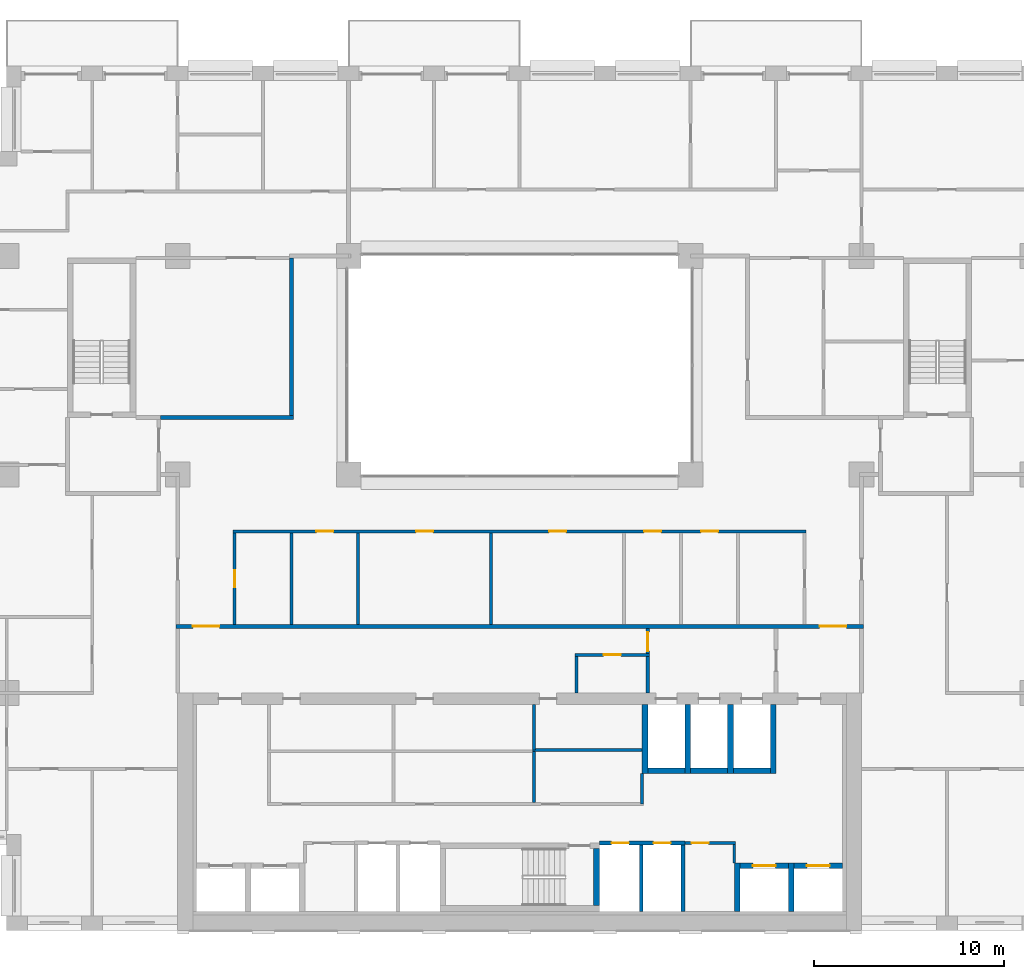
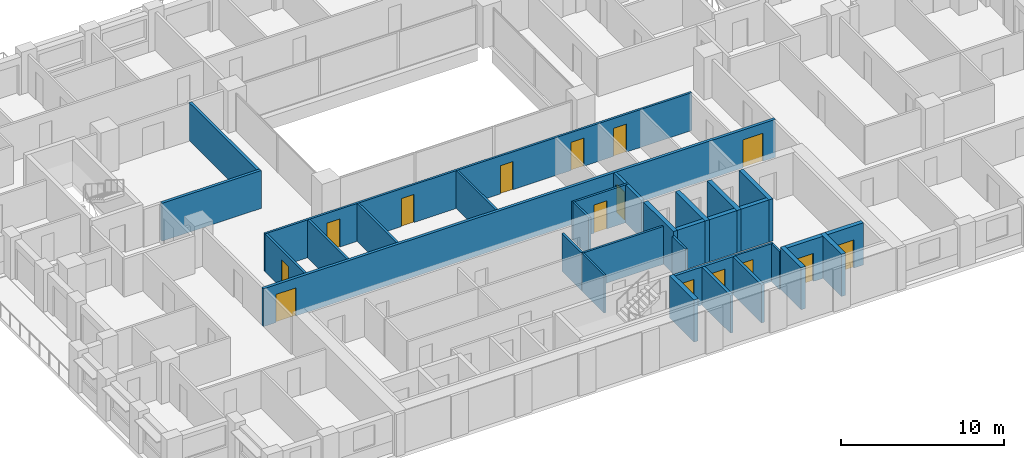
# One storey, part 10 of 16: 33 walls, 15 doors, 15 openings.
"""IFC4 building model written with IfcOpenShell, lengths in metres."""

from ifc_helpers import new_model, si_unit, direction, frame, frame_2d, origin, place, context, subcontext, project, spatial, rectangle, extrude, material, layer, layer_set, type_object, element, fill, save


model = new_model("IFC4")

# Units and contexts
model_context = context("Model", 3, precision=1e-05, world=origin(), true_north=direction((0.0, 1.0)))
body_context = subcontext(model_context, "Body", "Model", "MODEL_VIEW")
ifc_project = project(units=[si_unit("LENGTHUNIT", "METRE"), si_unit("AREAUNIT", "SQUARE_METRE"), si_unit("VOLUMEUNIT", "CUBIC_METRE"), si_unit("PLANEANGLEUNIT", "RADIAN"), si_unit("MASSUNIT", "GRAM", prefix="KILO")], contexts=[model_context])

# Site, building, storey
site_placement = place(None, origin())
site = spatial("IfcSite", under=ifc_project, at=site_placement, CompositionType="ELEMENT")
building_placement = place(site_placement, origin())
building = spatial("IfcBuilding", under=site, at=building_placement, Name="Brigalow Station Residences", CompositionType="ELEMENT")
storey_placement = place(building_placement, frame((0.0, 0.0, 124.5)))
storey = spatial("IfcBuildingStorey", under=building, at=storey_placement, Name="L36", CompositionType="ELEMENT", Elevation=124.5)

# Walls
ifc_material_1 = material(Name="Concrete C65", Category="concrete")
ifc_layer_1 = layer(ifc_material_1, 0.300048828125)
ifc_layer_set_1 = layer_set([ifc_layer_1], Name="CORE SHEAR WALL 300 C65")
wall_type_1 = type_object("IfcWallType", Name="CORE SHEAR WALL 300 C65", PredefinedType="SHEAR", material=ifc_layer_set_1)
wall_1_placement = place(storey_placement, frame((42.75, 8.39990234375, 0.0), z_axis=(0.0, 0.0, 1.0), x_axis=(1.0, 0.0, 0.0)))
element("IfcWall", 1, at=wall_1_placement, inside=storey, type_object=wall_type_1, Name="CORE WALL SH-FF1-S L36", PredefinedType="SHEAR", context=body_context, shape_type="SweptSolid", body=[
    extrude(rectangle(XDim=1.949951171875, YDim=0.300048828125, at=frame_2d((0.97509765625, 0.0))), origin(), (0.0, 0.0, 1.0), 3.14990234375),
])
wall_2_placement = place(storey_placement, frame((42.60009765625, 8.25, 0.0), z_axis=(0.0, 0.0, 1.0), x_axis=(0.0, 1.0, 0.0)))
element("IfcWall", 2, at=wall_2_placement, inside=storey, type_object=wall_type_1, Name="CORE WALL SH-FF1-W L36", PredefinedType="SHEAR", context=body_context, shape_type="SweptSolid", body=[
    extrude(rectangle(XDim=3.64990234375, YDim=0.300048828125, at=frame_2d((1.824951171875, 0.0))), origin(), (0.0, 0.0, 1.0), 3.14990234375),
])
wall_3_placement = place(storey_placement, frame((45.0, 8.39990234375, 0.0), z_axis=(0.0, 0.0, 1.0), x_axis=(1.0, 0.0, 0.0)))
element("IfcWall", 3, at=wall_3_placement, inside=storey, type_object=wall_type_1, Name="CORE WALL SH-FF2-S L36", PredefinedType="SHEAR", context=body_context, shape_type="SweptSolid", body=[
    extrude(rectangle(XDim=1.949951171875, YDim=0.300048828125, at=frame_2d((0.97509765625, 0.0))), origin(), (0.0, 0.0, 1.0), 3.14990234375),
])
wall_4_placement = place(storey_placement, frame((44.85009765625, 8.25, 0.0), z_axis=(0.0, 0.0, 1.0), x_axis=(0.0, 1.0, 0.0)))
element("IfcWall", 4, at=wall_4_placement, inside=storey, type_object=wall_type_1, Name="CORE WALL SH-FF2-W L36", PredefinedType="SHEAR", context=body_context, shape_type="SweptSolid", body=[
    extrude(rectangle(XDim=3.64990234375, YDim=0.300048828125, at=frame_2d((1.824951171875, 0.0))), origin(), (0.0, 0.0, 1.0), 3.14990234375),
])
wall_5_placement = place(storey_placement, frame((47.25, 8.39990234375, 0.0), z_axis=(0.0, 0.0, 1.0), x_axis=(1.0, 0.0, 0.0)))
element("IfcWall", 5, at=wall_5_placement, inside=storey, type_object=wall_type_1, Name="CORE WALL SH-SL1-S L36", PredefinedType="SHEAR", context=body_context, shape_type="SweptSolid", body=[
    extrude(rectangle(XDim=1.949951171875, YDim=0.300048828125, at=frame_2d((0.97509765625, 0.0))), origin(), (0.0, 0.0, 1.0), 3.14990234375),
])
for number, where, z_axis, x_axis, name in (
    (6, (47.10009765625, 8.25, 0.0), (0.0, 0.0, 1.0), (0.0, 1.0, 0.0), "CORE WALL SH-SL1-W L36"),
    (7, (49.35009765625, 8.25, 0.0), (0.0, 0.0, 1.0), (0.0, 1.0, 0.0), "CORE WALL SH-SL1-E L36"),
):
    element("IfcWall", number, at=place(storey_placement, frame(where, z_axis=z_axis, x_axis=x_axis)), inside=storey, type_object=wall_type_1, Name=name, PredefinedType="SHEAR", context=body_context, shape_type="SweptSolid", body=[
        extrude(rectangle(XDim=3.64990234375, YDim=0.300048828125, at=frame_2d((1.824951171875, 0.0))), origin(), (0.0, 0.0, 1.0), 3.14990234375),
    ])

# Wall, opening, door
wall_6_placement = place(storey_placement, frame((47.60009765625, 3.39990234375, 0.0), z_axis=(0.0, 0.0, 1.0), x_axis=(1.0, 0.0, 0.0)))
wall_6 = element("IfcWall", 8, at=wall_6_placement, inside=storey, type_object=wall_type_1, Name="CORE WALL SH-C3-N L36", PredefinedType="SHEAR", context=body_context, shape_type="SweptSolid", body=[
    extrude(rectangle(XDim=2.5498046875, YDim=0.300048828125, at=frame_2d((1.27490234375, 0.0))), origin(), (0.0, 0.0, 1.0), 3.14990234375),
])
opening_1_placement = place(wall_6_placement, frame((0.675048828125, 0.0, 0.0)))
opening_1 = element("IfcOpeningElement", 9, at=opening_1_placement, cuts=wall_6, Name="Opening LD-LB3", PredefinedType="OPENING", context=body_context, shape_type="SweptSolid", body=[
    extrude(rectangle(XDim=1.199951171875, YDim=2.10009765625, at=frame_2d((0.60009765625, 1.050048828125))), frame((0.0, 0.16015625, 0.0), z_axis=(0.0, -1.0, 0.0), x_axis=(1.0, 0.0, 0.0)), (0.0, 0.0, 1.0), 0.320068359375),
])
ifc_material_2 = material(Name="Stainless steel sliding door leaves", Category="steel")
door_type_1 = type_object("IfcDoorType", Name="LIFT LANDING DOOR 1200 x 2100", OperationType="DOUBLE_DOOR_SLIDING", PredefinedType="DOOR", material=ifc_material_2)
door_1_placement = place(opening_1_placement, origin())
door_1 = element("IfcDoor", 10, at=door_1_placement, inside=storey, type_object=door_type_1, Name="LANDING DOOR LB3", OperationType="DOUBLE_DOOR_SLIDING", OverallHeight=2.10009765625, OverallWidth=1.199951171875, PredefinedType="DOOR", context=body_context, shape_type="SweptSolid", body=[
    extrude(rectangle(XDim=1.199951171875, YDim=2.10009765625, at=frame_2d((0.60009765625, 1.050048828125))), frame((0.0, 0.02490234375, 0.0), z_axis=(0.0, -1.0, 0.0), x_axis=(1.0, 0.0, 0.0)), (0.0, 0.0, 1.0), 0.050048828125),
])
fill(opening_1, door_1)

# Wall
wall_7_placement = place(storey_placement, frame((47.449951171875, 1.0, 0.0), z_axis=(0.0, 0.0, 1.0), x_axis=(0.0, 1.0, 0.0)))
element("IfcWall", 11, at=wall_7_placement, inside=storey, type_object=wall_type_1, Name="CORE WALL SH-C3-W L36", PredefinedType="SHEAR", context=body_context, shape_type="SweptSolid", body=[
    extrude(rectangle(XDim=2.550048828125, YDim=0.300048828125, at=frame_2d((1.27490234375, 0.0))), origin(), (0.0, 0.0, 1.0), 3.14990234375),
])

# Wall, opening, door
wall_8_placement = place(storey_placement, frame((50.449951171875, 3.39990234375, 0.0), z_axis=(0.0, 0.0, 1.0), x_axis=(1.0, 0.0, 0.0)))
wall_8 = element("IfcWall", 12, at=wall_8_placement, inside=storey, type_object=wall_type_1, Name="CORE WALL SH-C4-N L36", PredefinedType="SHEAR", context=body_context, shape_type="SweptSolid", body=[
    extrude(rectangle(XDim=2.550048828125, YDim=0.300048828125, at=frame_2d((1.27490234375, 0.0))), origin(), (0.0, 0.0, 1.0), 3.14990234375),
])
opening_2_placement = place(wall_8_placement, frame((0.675048828125, 0.0, 0.0)))
opening_2 = element("IfcOpeningElement", 13, at=opening_2_placement, cuts=wall_8, Name="Opening LD-LB4", PredefinedType="OPENING", context=body_context, shape_type="SweptSolid", body=[
    extrude(rectangle(XDim=1.199951171875, YDim=2.10009765625, at=frame_2d((0.60009765625, 1.050048828125))), frame((0.0, 0.16015625, 0.0), z_axis=(0.0, -1.0, 0.0), x_axis=(1.0, 0.0, 0.0)), (0.0, 0.0, 1.0), 0.320068359375),
])
door_2_placement = place(opening_2_placement, origin())
door_2 = element("IfcDoor", 14, at=door_2_placement, inside=storey, type_object=door_type_1, Name="LANDING DOOR LB4", OperationType="DOUBLE_DOOR_SLIDING", OverallHeight=2.10009765625, OverallWidth=1.199951171875, PredefinedType="DOOR", context=body_context, shape_type="SweptSolid", body=[
    extrude(rectangle(XDim=1.199951171875, YDim=2.10009765625, at=frame_2d((0.60009765625, 1.050048828125))), frame((0.0, 0.02490234375, 0.0), z_axis=(0.0, -1.0, 0.0), x_axis=(1.0, 0.0, 0.0)), (0.0, 0.0, 1.0), 0.050048828125),
])
fill(opening_2, door_2)

# Walls
wall_9_placement = place(storey_placement, frame((50.300048828125, 1.0, 0.0), z_axis=(0.0, 0.0, 1.0), x_axis=(0.0, 1.0, 0.0)))
element("IfcWall", 15, at=wall_9_placement, inside=storey, type_object=wall_type_1, Name="CORE WALL SH-C4-W L36", PredefinedType="SHEAR", context=body_context, shape_type="SweptSolid", body=[
    extrude(rectangle(XDim=2.550048828125, YDim=0.300048828125, at=frame_2d((1.27490234375, 0.0))), origin(), (0.0, 0.0, 1.0), 3.14990234375),
])
wall_10_placement = place(storey_placement, frame((40.050048828125, 1.300048828125, 0.0), z_axis=(0.0, 0.0, 1.0), x_axis=(0.0, 1.0, 0.0)))
element("IfcWall", 16, at=wall_10_placement, inside=storey, type_object=wall_type_1, Name="CORE WALL ST-S2-E L36", PredefinedType="SHEAR", context=body_context, shape_type="SweptSolid", body=[
    extrude(rectangle(XDim=3.0, YDim=0.300048828125, at=frame_2d((1.5, 0.0))), origin(), (0.0, 0.0, 1.0), 3.14990234375),
])

# Wall, openings, doors
ifc_material_3 = material(Name="Concrete blockwork", Category="masonry")
ifc_layer_2 = layer(ifc_material_3, 0.199951171875)
ifc_layer_set_2 = layer_set([ifc_layer_2], Name="FIRE RATED CORE PARTITION 200")
wall_type_2 = type_object("IfcWallType", Name="FIRE RATED CORE PARTITION 200", PredefinedType="PARTITIONING", material=ifc_layer_set_2)
wall_11_placement = place(storey_placement, frame((40.199951171875, 4.60009765625, 0.0), z_axis=(0.0, 0.0, 1.0), x_axis=(1.0, 0.0, 0.0)))
wall_11 = element("IfcWall", 17, at=wall_11_placement, inside=storey, type_object=wall_type_2, Name="PW-5018", PredefinedType="PARTITIONING", context=body_context, shape_type="SweptSolid", body=[
    extrude(rectangle(XDim=4.5, YDim=0.199951171875, at=frame_2d((2.25, 0.0))), origin(), (0.0, 0.0, 1.0), 2.830078125),
])
opening_3_placement = place(wall_11_placement, frame((0.64990234375, 0.0, 0.0)))
opening_3 = element("IfcOpeningElement", 18, at=opening_3_placement, cuts=wall_11, Name="Opening D-5009", PredefinedType="OPENING", context=body_context, shape_type="SweptSolid", body=[
    extrude(rectangle(XDim=0.89990234375, YDim=2.10009765625, at=frame_2d((0.449951171875, 1.050048828125))), frame((0.0, 0.10986328125, 0.0), z_axis=(0.0, -1.0, 0.0), x_axis=(1.0, 0.0, 0.0)), (0.0, 0.0, 1.0), 0.219970703125),
])
opening_4_placement = place(wall_11_placement, frame((2.85009765625, 0.0, 0.0)))
opening_4 = element("IfcOpeningElement", 19, at=opening_4_placement, cuts=wall_11, Name="Opening D-5010", PredefinedType="OPENING", context=body_context, shape_type="SweptSolid", body=[
    extrude(rectangle(XDim=0.89990234375, YDim=2.10009765625, at=frame_2d((0.449951171875, 1.050048828125))), frame((0.0, 0.10986328125, 0.0), z_axis=(0.0, -1.0, 0.0), x_axis=(1.0, 0.0, 0.0)), (0.0, 0.0, 1.0), 0.219970703125),
])
ifc_material_4 = material(Name="Steel fire door leaf in steel frame", Category="steel")
door_type_2 = type_object("IfcDoorType", Name="RISER ACCESS DOOR 900 x 2100 FD120", OperationType="SINGLE_SWING_LEFT", PredefinedType="DOOR", material=ifc_material_4)
door_3_placement = place(opening_3_placement, frame((0.89990234375, 0.0, 0.0), z_axis=(0.0, 0.0, 1.0), x_axis=(-1.0, 0.0, 0.0)))
door_3 = element("IfcDoor", 20, at=door_3_placement, inside=storey, type_object=door_type_2, Name="D-5009", OperationType="SINGLE_SWING_LEFT", OverallHeight=2.10009765625, OverallWidth=0.89990234375, PredefinedType="DOOR", context=body_context, shape_type="SweptSolid", body=[
    extrude(rectangle(XDim=0.89990234375, YDim=2.10009765625, at=frame_2d((0.449951171875, 1.050048828125))), frame((0.0, 0.02490234375, 0.0), z_axis=(0.0, -1.0, 0.0), x_axis=(1.0, 0.0, 0.0)), (0.0, 0.0, 1.0), 0.050048828125),
])
fill(opening_3, door_3)
door_4_placement = place(opening_4_placement, frame((0.89990234375, 0.0, 0.0), z_axis=(0.0, 0.0, 1.0), x_axis=(-1.0, 0.0, 0.0)))
door_4 = element("IfcDoor", 21, at=door_4_placement, inside=storey, type_object=door_type_2, Name="D-5010", OperationType="SINGLE_SWING_LEFT", OverallHeight=2.10009765625, OverallWidth=0.89990234375, PredefinedType="DOOR", context=body_context, shape_type="SweptSolid", body=[
    extrude(rectangle(XDim=0.89990234375, YDim=2.10009765625, at=frame_2d((0.449951171875, 1.050048828125))), frame((0.0, 0.02490234375, 0.0), z_axis=(0.0, -1.0, 0.0), x_axis=(1.0, 0.0, 0.0)), (0.0, 0.0, 1.0), 0.050048828125),
])
fill(opening_4, door_4)

# Walls
for number, where, z_axis, x_axis, name in (
    (22, (42.39990234375, 1.0, 0.0), (0.0, 0.0, 1.0), (0.0, 1.0, 0.0), "PW-5007"),
    (23, (44.60009765625, 1.0, 0.0), (0.0, 0.0, 1.0), (0.0, 1.0, 0.0), "PW-5008"),
):
    element("IfcWall", number, at=place(storey_placement, frame(where, z_axis=z_axis, x_axis=x_axis)), inside=storey, type_object=wall_type_2, Name=name, PredefinedType="PARTITIONING", context=body_context, shape_type="SweptSolid", body=[
        extrude(rectangle(XDim=3.5, YDim=0.199951171875, at=frame_2d((1.75, 0.0))), origin(), (0.0, 0.0, 1.0), 2.830078125),
    ])
wall_12_placement = place(storey_placement, frame((42.75, 12.5, 0.0), z_axis=(0.0, 0.0, 1.0), x_axis=(0.0, 1.0, 0.0)))
element("IfcWall", 24, at=wall_12_placement, inside=storey, type_object=wall_type_2, Name="PW-5046", PredefinedType="PARTITIONING", context=body_context, shape_type="SweptSolid", body=[
    extrude(rectangle(XDim=1.925048828125, YDim=0.199951171875, at=frame_2d((0.96240234375, 0.0))), origin(), (0.0, 0.0, 1.0), 2.830078125),
])

# Wall, opening, door
wall_13_placement = place(storey_placement, frame((42.75, 14.574951171875, 0.0), z_axis=(0.0, 0.0, 1.0), x_axis=(0.0, 1.0, 0.0)))
wall_13 = element("IfcWall", 25, at=wall_13_placement, inside=storey, type_object=wall_type_2, Name="PW-5047", PredefinedType="PARTITIONING", context=body_context, shape_type="SweptSolid", body=[
    extrude(rectangle(XDim=1.324951171875, YDim=0.199951171875, at=frame_2d((0.66259765625, 0.0))), origin(), (0.0, 0.0, 1.0), 2.830078125),
])
opening_5_placement = place(wall_13_placement, frame((0.125, 0.0, 0.0)))
opening_5 = element("IfcOpeningElement", 26, at=opening_5_placement, cuts=wall_13, Name="Opening D-5013", PredefinedType="OPENING", context=body_context, shape_type="SweptSolid", body=[
    extrude(rectangle(XDim=1.0, YDim=2.10009765625, at=frame_2d((0.5, 1.050048828125))), frame((0.0, 0.10986328125, 0.0), z_axis=(0.0, -1.0, 0.0), x_axis=(1.0, 0.0, 0.0)), (0.0, 0.0, 1.0), 0.219970703125),
])
ifc_material_5 = material(Name="Steel fire door leaf in steel frame", Category="steel")
door_type_3 = type_object("IfcDoorType", Name="LOBBY DOOR 1000 x 2100 FD60S", OperationType="SINGLE_SWING_LEFT", PredefinedType="DOOR", material=ifc_material_5)
door_5_placement = place(opening_5_placement, origin())
door_5 = element("IfcDoor", 27, at=door_5_placement, inside=storey, type_object=door_type_3, Name="D-5013", OperationType="SINGLE_SWING_LEFT", OverallHeight=2.10009765625, OverallWidth=1.0, PredefinedType="DOOR", context=body_context, shape_type="SweptSolid", body=[
    extrude(rectangle(XDim=1.0, YDim=2.10009765625, at=frame_2d((0.5, 1.050048828125))), frame((0.0, 0.02490234375, 0.0), z_axis=(0.0, -1.0, 0.0), x_axis=(1.0, 0.0, 0.0)), (0.0, 0.0, 1.0), 0.050048828125),
])
fill(opening_5, door_5)

# Wall, openings, doors
ifc_material_6 = material(Name="Plasterboard on steel stud partition", Category="steel")
ifc_layer_3 = layer(ifc_material_6, 0.14990234375)
ifc_layer_set_3 = layer_set([ifc_layer_3], Name="FLAT PARTITION 150")
wall_type_3 = type_object("IfcWallType", Name="FLAT PARTITION 150", PredefinedType="PARTITIONING", material=ifc_layer_set_3)
wall_14_placement = place(storey_placement, frame((20.925048828125, 21.0, 0.0), z_axis=(0.0, 0.0, 1.0), x_axis=(1.0, 0.0, 0.0)))
wall_14 = element("IfcWall", 28, at=wall_14_placement, inside=storey, type_object=wall_type_3, Name="PW-2F01", PredefinedType="PARTITIONING", context=body_context, shape_type="SweptSolid", body=[
    extrude(rectangle(XDim=30.14990234375, YDim=0.14990234375, at=frame_2d((15.074951171875, 0.0))), origin(), (0.0, 0.0, 1.0), 2.830078125),
])
opening_6_placement = place(wall_14_placement, frame((4.375, 0.0, 0.0)))
opening_6 = element("IfcOpeningElement", 29, at=opening_6_placement, cuts=wall_14, Name="Opening D-2F51", PredefinedType="OPENING", context=body_context, shape_type="SweptSolid", body=[
    extrude(rectangle(XDim=0.89990234375, YDim=2.10009765625, at=frame_2d((0.449951171875, 1.050048828125))), frame((0.0, 0.0849609375, 0.0), z_axis=(0.0, -1.0, 0.0), x_axis=(1.0, 0.0, 0.0)), (0.0, 0.0, 1.0), 0.169921875),
])
opening_7_placement = place(wall_14_placement, frame((9.625, 0.0, 0.0)))
opening_7 = element("IfcOpeningElement", 30, at=opening_7_placement, cuts=wall_14, Name="Opening D-2F52", PredefinedType="OPENING", context=body_context, shape_type="SweptSolid", body=[
    extrude(rectangle(XDim=0.89990234375, YDim=2.10009765625, at=frame_2d((0.449951171875, 1.050048828125))), frame((0.0, 0.0849609375, 0.0), z_axis=(0.0, -1.0, 0.0), x_axis=(1.0, 0.0, 0.0)), (0.0, 0.0, 1.0), 0.169921875),
])
opening_8_placement = place(wall_14_placement, frame((16.625, 0.0, 0.0)))
opening_8 = element("IfcOpeningElement", 31, at=opening_8_placement, cuts=wall_14, Name="Opening D-2F53", PredefinedType="OPENING", context=body_context, shape_type="SweptSolid", body=[
    extrude(rectangle(XDim=0.89990234375, YDim=2.10009765625, at=frame_2d((0.449951171875, 1.050048828125))), frame((0.0, 0.0849609375, 0.0), z_axis=(0.0, -1.0, 0.0), x_axis=(1.0, 0.0, 0.0)), (0.0, 0.0, 1.0), 0.169921875),
])
opening_9_placement = place(wall_14_placement, frame((21.625, 0.0, 0.0)))
opening_9 = element("IfcOpeningElement", 32, at=opening_9_placement, cuts=wall_14, Name="Opening D-2F54", PredefinedType="OPENING", context=body_context, shape_type="SweptSolid", body=[
    extrude(rectangle(XDim=0.89990234375, YDim=2.10009765625, at=frame_2d((0.449951171875, 1.050048828125))), frame((0.0, 0.0849609375, 0.0), z_axis=(0.0, -1.0, 0.0), x_axis=(1.0, 0.0, 0.0)), (0.0, 0.0, 1.0), 0.169921875),
])
opening_10_placement = place(wall_14_placement, frame((24.625, 0.0, 0.0)))
opening_10 = element("IfcOpeningElement", 33, at=opening_10_placement, cuts=wall_14, Name="Opening D-2F55", PredefinedType="OPENING", context=body_context, shape_type="SweptSolid", body=[
    extrude(rectangle(XDim=0.89990234375, YDim=2.10009765625, at=frame_2d((0.449951171875, 1.050048828125))), frame((0.0, 0.0849609375, 0.0), z_axis=(0.0, -1.0, 0.0), x_axis=(1.0, 0.0, 0.0)), (0.0, 0.0, 1.0), 0.169921875),
])
ifc_material_7 = material(Name="Solid-core timber door leaf", Category="wood")
door_type_4 = type_object("IfcDoorType", Name="INTERNAL DOOR 900 x 2100", OperationType="SINGLE_SWING_LEFT", PredefinedType="DOOR", material=ifc_material_7)
door_6_placement = place(opening_6_placement, frame((0.89990234375, 0.0, 0.0), z_axis=(0.0, 0.0, 1.0), x_axis=(-1.0, 0.0, 0.0)))
door_6 = element("IfcDoor", 34, at=door_6_placement, inside=storey, type_object=door_type_4, Name="D-2F51", OperationType="SINGLE_SWING_LEFT", OverallHeight=2.10009765625, OverallWidth=0.89990234375, PredefinedType="DOOR", context=body_context, shape_type="SweptSolid", body=[
    extrude(rectangle(XDim=0.89990234375, YDim=2.10009765625, at=frame_2d((0.449951171875, 1.050048828125))), frame((0.0, 0.02490234375, 0.0), z_axis=(0.0, -1.0, 0.0), x_axis=(1.0, 0.0, 0.0)), (0.0, 0.0, 1.0), 0.050048828125),
])
fill(opening_6, door_6)
door_7_placement = place(opening_7_placement, frame((0.89990234375, 0.0, 0.0), z_axis=(0.0, 0.0, 1.0), x_axis=(-1.0, 0.0, 0.0)))
door_7 = element("IfcDoor", 35, at=door_7_placement, inside=storey, type_object=door_type_4, Name="D-2F52", OperationType="SINGLE_SWING_LEFT", OverallHeight=2.10009765625, OverallWidth=0.89990234375, PredefinedType="DOOR", context=body_context, shape_type="SweptSolid", body=[
    extrude(rectangle(XDim=0.89990234375, YDim=2.10009765625, at=frame_2d((0.449951171875, 1.050048828125))), frame((0.0, 0.02490234375, 0.0), z_axis=(0.0, -1.0, 0.0), x_axis=(1.0, 0.0, 0.0)), (0.0, 0.0, 1.0), 0.050048828125),
])
fill(opening_7, door_7)
door_8_placement = place(opening_8_placement, frame((0.89990234375, 0.0, 0.0), z_axis=(0.0, 0.0, 1.0), x_axis=(-1.0, 0.0, 0.0)))
door_8 = element("IfcDoor", 36, at=door_8_placement, inside=storey, type_object=door_type_4, Name="D-2F53", OperationType="SINGLE_SWING_LEFT", OverallHeight=2.10009765625, OverallWidth=0.89990234375, PredefinedType="DOOR", context=body_context, shape_type="SweptSolid", body=[
    extrude(rectangle(XDim=0.89990234375, YDim=2.10009765625, at=frame_2d((0.449951171875, 1.050048828125))), frame((0.0, 0.02490234375, 0.0), z_axis=(0.0, -1.0, 0.0), x_axis=(1.0, 0.0, 0.0)), (0.0, 0.0, 1.0), 0.050048828125),
])
fill(opening_8, door_8)
door_9_placement = place(opening_9_placement, frame((0.89990234375, 0.0, 0.0), z_axis=(0.0, 0.0, 1.0), x_axis=(-1.0, 0.0, 0.0)))
door_9 = element("IfcDoor", 37, at=door_9_placement, inside=storey, type_object=door_type_4, Name="D-2F54", OperationType="SINGLE_SWING_RIGHT", OverallHeight=2.10009765625, OverallWidth=0.89990234375, PredefinedType="DOOR", context=body_context, shape_type="SweptSolid", body=[
    extrude(rectangle(XDim=0.89990234375, YDim=2.10009765625, at=frame_2d((0.449951171875, 1.050048828125))), frame((0.0, 0.02490234375, 0.0), z_axis=(0.0, -1.0, 0.0), x_axis=(1.0, 0.0, 0.0)), (0.0, 0.0, 1.0), 0.050048828125),
])
fill(opening_9, door_9)
door_10_placement = place(opening_10_placement, frame((0.89990234375, 0.0, 0.0), z_axis=(0.0, 0.0, 1.0), x_axis=(-1.0, 0.0, 0.0)))
door_10 = element("IfcDoor", 38, at=door_10_placement, inside=storey, type_object=door_type_4, Name="D-2F55", OperationType="SINGLE_SWING_LEFT", OverallHeight=2.10009765625, OverallWidth=0.89990234375, PredefinedType="DOOR", context=body_context, shape_type="SweptSolid", body=[
    extrude(rectangle(XDim=0.89990234375, YDim=2.10009765625, at=frame_2d((0.449951171875, 1.050048828125))), frame((0.0, 0.02490234375, 0.0), z_axis=(0.0, -1.0, 0.0), x_axis=(1.0, 0.0, 0.0)), (0.0, 0.0, 1.0), 0.050048828125),
])
fill(opening_10, door_10)

# Wall, opening, door
wall_15_placement = place(storey_placement, frame((21.0, 16.10009765625, 0.0), z_axis=(0.0, 0.0, 1.0), x_axis=(0.0, 1.0, 0.0)))
wall_15 = element("IfcWall", 39, at=wall_15_placement, inside=storey, type_object=wall_type_3, Name="PW-2F43", PredefinedType="PARTITIONING", context=body_context, shape_type="SweptSolid", body=[
    extrude(rectangle(XDim=4.824951171875, YDim=0.14990234375, at=frame_2d((2.41259765625, 0.0))), origin(), (0.0, 0.0, 1.0), 2.830078125),
])
opening_11_placement = place(wall_15_placement, frame((1.949951171875, 0.0, 0.0)))
opening_11 = element("IfcOpeningElement", 40, at=opening_11_placement, cuts=wall_15, Name="Opening D-2F50", PredefinedType="OPENING", context=body_context, shape_type="SweptSolid", body=[
    extrude(rectangle(XDim=0.89990234375, YDim=2.10009765625, at=frame_2d((0.449951171875, 1.050048828125))), frame((0.0, 0.0849609375, 0.0), z_axis=(0.0, -1.0, 0.0), x_axis=(1.0, 0.0, 0.0)), (0.0, 0.0, 1.0), 0.169921875),
])
door_11_placement = place(opening_11_placement, frame((0.89990234375, 0.0, 0.0), z_axis=(0.0, 0.0, 1.0), x_axis=(-1.0, 0.0, 0.0)))
door_11 = element("IfcDoor", 41, at=door_11_placement, inside=storey, type_object=door_type_4, Name="D-2F50", OperationType="SINGLE_SWING_RIGHT", OverallHeight=2.10009765625, OverallWidth=0.89990234375, PredefinedType="DOOR", context=body_context, shape_type="SweptSolid", body=[
    extrude(rectangle(XDim=0.89990234375, YDim=2.10009765625, at=frame_2d((0.449951171875, 1.050048828125))), frame((0.0, 0.02490234375, 0.0), z_axis=(0.0, -1.0, 0.0), x_axis=(1.0, 0.0, 0.0)), (0.0, 0.0, 1.0), 0.050048828125),
])
fill(opening_11, door_11)

# Walls
for number, where, z_axis, x_axis, name in (
    (42, (24.0, 16.10009765625, 0.0), (0.0, 0.0, 1.0), (0.0, 1.0, 0.0), "PW-2F45"),
    (43, (27.5, 16.10009765625, 0.0), (0.0, 0.0, 1.0), (0.0, 1.0, 0.0), "PW-2F72"),
    (44, (34.5, 16.10009765625, 0.0), (0.0, 0.0, 1.0), (0.0, 1.0, 0.0), "PW-2F73"),
):
    element("IfcWall", number, at=place(storey_placement, frame(where, z_axis=z_axis, x_axis=x_axis)), inside=storey, type_object=wall_type_3, Name=name, PredefinedType="PARTITIONING", context=body_context, shape_type="SweptSolid", body=[
        extrude(rectangle(XDim=4.824951171875, YDim=0.14990234375, at=frame_2d((2.41259765625, 0.0))), origin(), (0.0, 0.0, 1.0), 2.830078125),
    ])
ifc_material_8 = material(Name="Plasterboard on steel stud partition", Category="steel")
ifc_layer_4 = layer(ifc_material_8, 0.199951171875)
ifc_layer_set_4 = layer_set([ifc_layer_4], Name="PARTY AND CORRIDOR WALL 200")
wall_type_4 = type_object("IfcWallType", Name="PARTY AND CORRIDOR WALL 200", PredefinedType="PARTITIONING", material=ifc_layer_set_4)
wall_16_placement = place(storey_placement, frame((17.10009765625, 27.0, 0.0), z_axis=(0.0, 0.0, 1.0), x_axis=(1.0, 0.0, 0.0)))
element("IfcWall", 45, at=wall_16_placement, inside=storey, type_object=wall_type_4, Name="PW-2F05", PredefinedType="PARTITIONING", context=body_context, shape_type="SweptSolid", body=[
    extrude(rectangle(XDim=7.0, YDim=0.199951171875, at=frame_2d((3.5, 0.0))), origin(), (0.0, 0.0, 1.0), 2.830078125),
])

# Wall, openings, doors
wall_17_placement = place(storey_placement, frame((17.89990234375, 16.0, 0.0), z_axis=(0.0, 0.0, 1.0), x_axis=(1.0, 0.0, 0.0)))
wall_17 = element("IfcWall", 46, at=wall_17_placement, inside=storey, type_object=wall_type_4, Name="PW-2F38", PredefinedType="PARTITIONING", context=body_context, shape_type="SweptSolid", body=[
    extrude(rectangle(XDim=36.2001953125, YDim=0.199951171875, at=frame_2d((18.10009765625, 0.0))), origin(), (0.0, 0.0, 1.0), 2.830078125),
])
opening_12_placement = place(wall_17_placement, frame((0.89990234375, 0.0, 0.0)))
opening_12 = element("IfcOpeningElement", 47, at=opening_12_placement, cuts=wall_17, Name="Opening D-2F01", PredefinedType="OPENING", context=body_context, shape_type="SweptSolid", body=[
    extrude(rectangle(XDim=1.39990234375, YDim=2.10009765625, at=frame_2d((0.699951171875, 1.050048828125))), frame((0.0, 0.10986328125, 0.0), z_axis=(0.0, -1.0, 0.0), x_axis=(1.0, 0.0, 0.0)), (0.0, 0.0, 1.0), 0.219970703125),
])
opening_13_placement = place(wall_17_placement, frame((33.89990234375, 0.0, 0.0)))
opening_13 = element("IfcOpeningElement", 48, at=opening_13_placement, cuts=wall_17, Name="Opening D-2F02", PredefinedType="OPENING", context=body_context, shape_type="SweptSolid", body=[
    extrude(rectangle(XDim=1.39990234375, YDim=2.10009765625, at=frame_2d((0.699951171875, 1.050048828125))), frame((0.0, 0.10986328125, 0.0), z_axis=(0.0, -1.0, 0.0), x_axis=(1.0, 0.0, 0.0)), (0.0, 0.0, 1.0), 0.219970703125),
])
ifc_material_9 = material(Name="Solid-core timber door leaf", Category="wood")
door_type_5 = type_object("IfcDoorType", Name="CORRIDOR FIRE DOOR 1400 x 2100 FRL -/60/30", OperationType="DOUBLE_DOOR_SINGLE_SWING", PredefinedType="DOOR", material=ifc_material_9)
door_12_placement = place(opening_12_placement, frame((1.39990234375, 0.0, 0.0), z_axis=(0.0, 0.0, 1.0), x_axis=(-1.0, 0.0, 0.0)))
door_12 = element("IfcDoor", 49, at=door_12_placement, inside=storey, type_object=door_type_5, Name="D-2F01", OperationType="DOUBLE_DOOR_SINGLE_SWING", OverallHeight=2.10009765625, OverallWidth=1.39990234375, PredefinedType="DOOR", context=body_context, shape_type="SweptSolid", body=[
    extrude(rectangle(XDim=1.39990234375, YDim=2.10009765625, at=frame_2d((0.699951171875, 1.050048828125))), frame((0.0, 0.02490234375, 0.0), z_axis=(0.0, -1.0, 0.0), x_axis=(1.0, 0.0, 0.0)), (0.0, 0.0, 1.0), 0.050048828125),
])
fill(opening_12, door_12)
door_13_placement = place(opening_13_placement, frame((1.39990234375, 0.0, 0.0), z_axis=(0.0, 0.0, 1.0), x_axis=(-1.0, 0.0, 0.0)))
door_13 = element("IfcDoor", 50, at=door_13_placement, inside=storey, type_object=door_type_5, Name="D-2F02", OperationType="DOUBLE_DOOR_SINGLE_SWING", OverallHeight=2.10009765625, OverallWidth=1.39990234375, PredefinedType="DOOR", context=body_context, shape_type="SweptSolid", body=[
    extrude(rectangle(XDim=1.39990234375, YDim=2.10009765625, at=frame_2d((0.699951171875, 1.050048828125))), frame((0.0, 0.02490234375, 0.0), z_axis=(0.0, -1.0, 0.0), x_axis=(1.0, 0.0, 0.0)), (0.0, 0.0, 1.0), 0.050048828125),
])
fill(opening_13, door_13)

# Wall
wall_18_placement = place(storey_placement, frame((24.0, 27.10009765625, 0.0), z_axis=(0.0, 0.0, 1.0), x_axis=(0.0, 1.0, 0.0)))
element("IfcWall", 51, at=wall_18_placement, inside=storey, type_object=wall_type_4, Name="PW-2F46", PredefinedType="PARTITIONING", context=body_context, shape_type="SweptSolid", body=[
    extrude(rectangle(XDim=8.2998046875, YDim=0.199951171875, at=frame_2d((4.14990234375, 0.0))), origin(), (0.0, 0.0, 1.0), 2.830078125),
])

# Wall, opening, door
ifc_material_10 = material(Name="Plasterboard on steel studs", Category="steel")
ifc_layer_5 = layer(ifc_material_10, 0.14990234375)
ifc_layer_set_5 = layer_set([ifc_layer_5], Name="SERVICE ROOM PARTITION 150")
wall_type_5 = type_object("IfcWallType", Name="SERVICE ROOM PARTITION 150", PredefinedType="PARTITIONING", material=ifc_layer_set_5)
wall_19_placement = place(storey_placement, frame((44.699951171875, 4.60009765625, 0.0), z_axis=(0.0, 0.0, 1.0), x_axis=(1.0, 0.0, 0.0)))
wall_19 = element("IfcWall", 52, at=wall_19_placement, inside=storey, type_object=wall_type_5, Name="PW-5156", PredefinedType="PARTITIONING", context=body_context, shape_type="SweptSolid", body=[
    extrude(rectangle(XDim=2.675048828125, YDim=0.14990234375, at=frame_2d((1.33740234375, 0.0))), origin(), (0.0, 0.0, 1.0), 2.830078125),
])
opening_14_placement = place(wall_19_placement, frame((0.35009765625, 0.0, 0.0)))
opening_14 = element("IfcOpeningElement", 53, at=opening_14_placement, cuts=wall_19, Name="Opening D-5026", PredefinedType="OPENING", context=body_context, shape_type="SweptSolid", body=[
    extrude(rectangle(XDim=0.89990234375, YDim=2.10009765625, at=frame_2d((0.449951171875, 1.050048828125))), frame((0.0, 0.0849609375, 0.0), z_axis=(0.0, -1.0, 0.0), x_axis=(1.0, 0.0, 0.0)), (0.0, 0.0, 1.0), 0.169921875),
])
ifc_material_11 = material(Name="Steel door leaf in steel frame", Category="steel")
door_type_6 = type_object("IfcDoorType", Name="SERVICE ROOM DOOR 900 x 2100 FD60", OperationType="SINGLE_SWING_LEFT", PredefinedType="DOOR", material=ifc_material_11)
door_14_placement = place(opening_14_placement, frame((0.89990234375, 0.0, 0.0), z_axis=(0.0, 0.0, 1.0), x_axis=(-1.0, 0.0, 0.0)))
door_14 = element("IfcDoor", 54, at=door_14_placement, inside=storey, type_object=door_type_6, Name="D-5026", OperationType="SINGLE_SWING_RIGHT", OverallHeight=2.10009765625, OverallWidth=0.89990234375, PredefinedType="DOOR", context=body_context, shape_type="SweptSolid", body=[
    extrude(rectangle(XDim=0.89990234375, YDim=2.10009765625, at=frame_2d((0.449951171875, 1.050048828125))), frame((0.0, 0.02490234375, 0.0), z_axis=(0.0, -1.0, 0.0), x_axis=(1.0, 0.0, 0.0)), (0.0, 0.0, 1.0), 0.050048828125),
])
fill(opening_14, door_14)

# Wall
wall_20_placement = place(storey_placement, frame((36.675048828125, 9.5, 0.0), z_axis=(0.0, 0.0, 1.0), x_axis=(1.0, 0.0, 0.0)))
element("IfcWall", 55, at=wall_20_placement, inside=storey, type_object=wall_type_5, Name="PW-5215", PredefinedType="PARTITIONING", context=body_context, shape_type="SweptSolid", body=[
    extrude(rectangle(XDim=5.77490234375, YDim=0.14990234375, at=frame_2d((2.887451171875, 0.0))), origin(), (0.0, 0.0, 1.0), 2.830078125),
])

# Wall, opening, door
wall_21_placement = place(storey_placement, frame((38.925048828125, 14.5, 0.0), z_axis=(0.0, 0.0, 1.0), x_axis=(1.0, 0.0, 0.0)))
wall_21 = element("IfcWall", 56, at=wall_21_placement, inside=storey, type_object=wall_type_5, Name="PW-5129", PredefinedType="PARTITIONING", context=body_context, shape_type="SweptSolid", body=[
    extrude(rectangle(XDim=3.925048828125, YDim=0.14990234375, at=frame_2d((1.96240234375, 0.0))), origin(), (0.0, 0.0, 1.0), 2.830078125),
])
opening_15_placement = place(wall_21_placement, frame((1.5, 0.0, 0.0)))
opening_15 = element("IfcOpeningElement", 57, at=opening_15_placement, cuts=wall_21, Name="Opening D-5076", PredefinedType="OPENING", context=body_context, shape_type="SweptSolid", body=[
    extrude(rectangle(XDim=0.89990234375, YDim=2.10009765625, at=frame_2d((0.449951171875, 1.050048828125))), frame((0.0, 0.0849609375, 0.0), z_axis=(0.0, -1.0, 0.0), x_axis=(1.0, 0.0, 0.0)), (0.0, 0.0, 1.0), 0.169921875),
])
door_15_placement = place(opening_15_placement, frame((0.89990234375, 0.0, 0.0), z_axis=(0.0, 0.0, 1.0), x_axis=(-1.0, 0.0, 0.0)))
door_15 = element("IfcDoor", 58, at=door_15_placement, inside=storey, type_object=door_type_6, Name="D-5076", OperationType="SINGLE_SWING_LEFT", OverallHeight=2.10009765625, OverallWidth=0.89990234375, PredefinedType="DOOR", context=body_context, shape_type="SweptSolid", body=[
    extrude(rectangle(XDim=0.89990234375, YDim=2.10009765625, at=frame_2d((0.449951171875, 1.050048828125))), frame((0.0, 0.02490234375, 0.0), z_axis=(0.0, -1.0, 0.0), x_axis=(1.0, 0.0, 0.0)), (0.0, 0.0, 1.0), 0.050048828125),
])
fill(opening_15, door_15)

# Walls
wall_22_placement = place(storey_placement, frame((47.300048828125, 3.550048828125, 0.0), z_axis=(0.0, 0.0, 1.0), x_axis=(0.0, 1.0, 0.0)))
element("IfcWall", 59, at=wall_22_placement, inside=storey, type_object=wall_type_5, Name="PW-5158", PredefinedType="PARTITIONING", context=body_context, shape_type="SweptSolid", body=[
    extrude(rectangle(XDim=0.974853515625, YDim=0.14990234375, at=frame_2d((0.4873046875, 0.0))), origin(), (0.0, 0.0, 1.0), 2.830078125),
])
wall_23_placement = place(storey_placement, frame((42.449951171875, 6.64990234375, 0.0), z_axis=(0.0, 0.0, 1.0), x_axis=(0.0, 1.0, 0.0)))
element("IfcWall", 60, at=wall_23_placement, inside=storey, type_object=wall_type_5, Name="PW-5029", PredefinedType="PARTITIONING", context=body_context, shape_type="SweptSolid", body=[
    extrude(rectangle(XDim=1.60009765625, YDim=0.14990234375, at=frame_2d((0.800048828125, 0.0))), origin(), (0.0, 0.0, 1.0), 2.830078125),
])
wall_24_placement = place(storey_placement, frame((36.75, 6.72509765625, 0.0), z_axis=(0.0, 0.0, 1.0), x_axis=(0.0, 1.0, 0.0)))
element("IfcWall", 61, at=wall_24_placement, inside=storey, type_object=wall_type_5, Name="PW-5239", PredefinedType="PARTITIONING", context=body_context, shape_type="SweptSolid", body=[
    extrude(rectangle(XDim=2.699951171875, YDim=0.14990234375, at=frame_2d((1.35009765625, 0.0))), origin(), (0.0, 0.0, 1.0), 2.830078125),
])
wall_25_placement = place(storey_placement, frame((36.75, 9.5048828125, 0.0), z_axis=(0.0, 0.0, 1.0), x_axis=(0.0, 1.0, 0.0)))
element("IfcWall", 62, at=wall_25_placement, inside=storey, type_object=wall_type_5, Name="PW-5242", PredefinedType="PARTITIONING", context=body_context, shape_type="SweptSolid", body=[
    extrude(rectangle(XDim=2.39501953125, YDim=0.14990234375, at=frame_2d((1.197509765625, 0.0))), origin(), (0.0, 0.0, 1.0), 2.830078125),
])
wall_26_placement = place(storey_placement, frame((39.0, 12.5, 0.0), z_axis=(0.0, 0.0, 1.0), x_axis=(0.0, 1.0, 0.0)))
element("IfcWall", 63, at=wall_26_placement, inside=storey, type_object=wall_type_5, Name="PW-5136", PredefinedType="PARTITIONING", context=body_context, shape_type="SweptSolid", body=[
    extrude(rectangle(XDim=1.925048828125, YDim=0.14990234375, at=frame_2d((0.96240234375, 0.0))), origin(), (0.0, 0.0, 1.0), 2.830078125),
])

save(model, "model.ifc")
